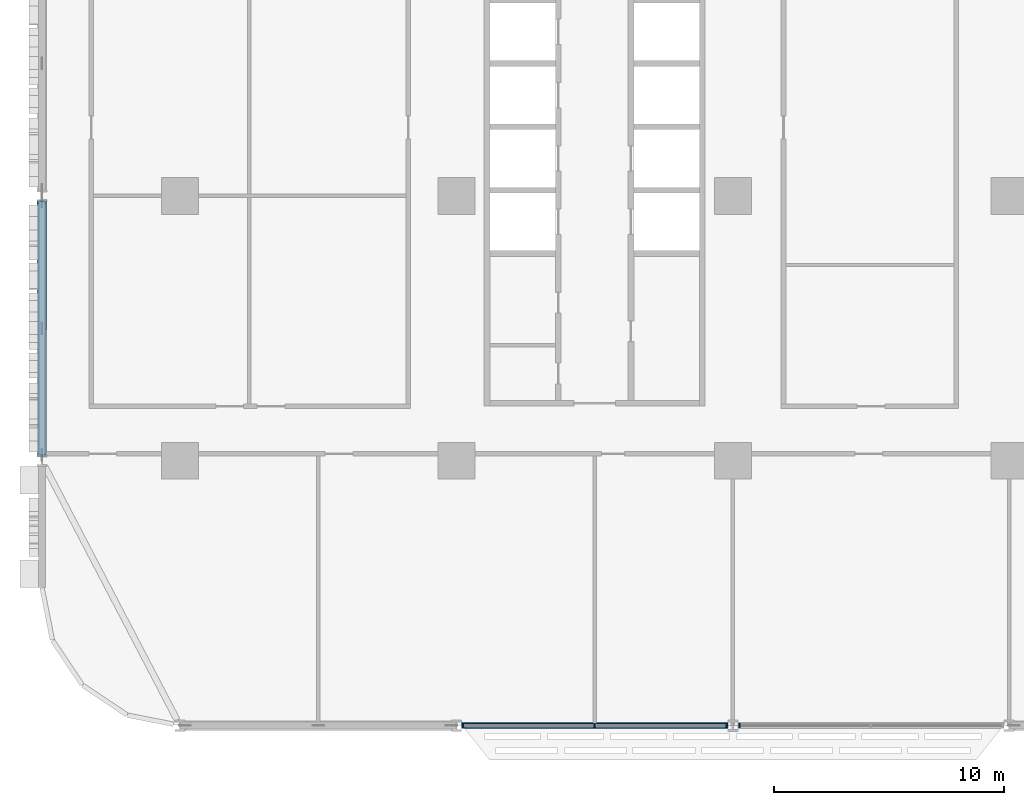
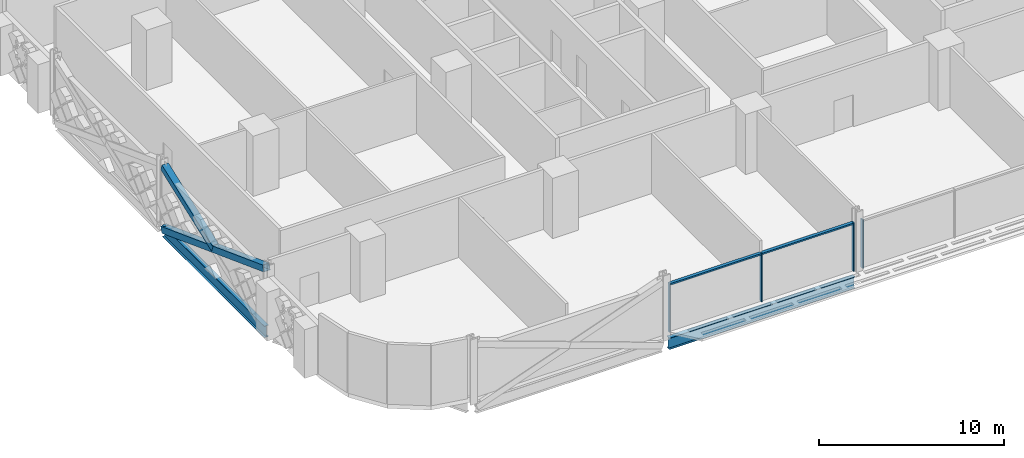
# One storey, part 2 of 28: 8 members, 2 beams, 2 elements without a shape of their own.
"""IFC4 building model written with IfcOpenShell, lengths in metres."""

from ifc_helpers import new_model, si_unit, direction, frame, origin, origin_2d, place, context, subcontext, project, spatial, rectangle, hollow_rectangle, i_section, extrude, material, material_profile, profile_set, type_object, element, aggregate, save


model = new_model("IFC4")

# Units and contexts
model_context = context("Model", 3, precision=1e-05, world=origin(), true_north=direction((0.0, 1.0)))
body_context = subcontext(model_context, "Body", "Model", "MODEL_VIEW")
ifc_project = project(units=[si_unit("LENGTHUNIT", "METRE"), si_unit("AREAUNIT", "SQUARE_METRE"), si_unit("VOLUMEUNIT", "CUBIC_METRE"), si_unit("PLANEANGLEUNIT", "RADIAN"), si_unit("MASSUNIT", "GRAM", prefix="KILO")], contexts=[model_context])

# Site, building, storey
site_placement = place(None, origin())
site = spatial("IfcSite", under=ifc_project, at=site_placement, CompositionType="ELEMENT")
building_placement = place(site_placement, origin())
building = spatial("IfcBuilding", under=site, at=building_placement, Name="Mahtab Terrace Research Tower", CompositionType="ELEMENT")
storey_placement = place(building_placement, frame((0.0, 0.0, 33.0)))
storey = spatial("IfcBuildingStorey", under=building, at=storey_placement, Name="L07", CompositionType="ELEMENT", Elevation=33.0)

# Members
ifc_material_1 = material(Name="Steel ASTM A500 Gr C", Category="steel")
ifc_material_profile_1 = material_profile(ifc_material_1, hollow_rectangle(XDim=0.406494140625, YDim=0.406494140625, WallThickness=0.01904296875, at=origin_2d()), Name="HSS16X16X3/4")
ifc_profile_set_1 = profile_set([ifc_material_profile_1], Name="Steel ASTM A500 Gr C")
member_type_1 = type_object("IfcMemberType", Name="HSS 16x16x3/4 brace XB161634", PredefinedType="BRACE", material=ifc_profile_set_1)
member_1_placement = place(storey_placement, frame((-48.0, -0.248779296875, -0.62548828125), z_axis=(0.0, -0.936661873217, 0.350234971499), x_axis=(1.0, 0.0, 0.0)))
element("IfcMember", 1, at=member_1_placement, inside=storey, type_object=member_type_1, Name="Exoskeleton brace L07 10 a", PredefinedType="BRACE", context=body_context, shape_type="SweptSolid", body=[
    extrude(hollow_rectangle(XDim=0.406494140625, YDim=0.406494140625, WallThickness=0.01904296875, at=origin_2d()), origin(), (0.0, 0.0, 1.0), 11.746337890625),
])
member_2_placement = place(storey_placement, frame((-48.0, -5.75, 1.431640625), z_axis=(0.0, 0.936668691391, 0.350216736563), x_axis=(-1.0, 0.0, 0.0)))
element("IfcMember", 2, at=member_2_placement, inside=storey, type_object=member_type_1, Name="Exoskeleton brace L07 10 b2", PredefinedType="BRACE", context=body_context, shape_type="SweptSolid", body=[
    extrude(hollow_rectangle(XDim=0.406494140625, YDim=0.406494140625, WallThickness=0.01904296875, at=origin_2d()), origin(), (0.0, 0.0, 1.0), 5.873291015625),
])

# Curtain wall, members
ifc_material_2 = material(Name="Laboratory ribbon curtain wall")
curtain_wall_type = type_object("IfcCurtainWallType", Name="Laboratory ribbon curtain wall", PredefinedType="NOTDEFINED", material=ifc_material_2)
curtain_wall_1_placement = place(storey_placement, origin())
curtain_wall_1 = element("IfcCurtainWall", 3, at=curtain_wall_1_placement, inside=storey, type_object=curtain_wall_type, Name="EN.L07.13.23", PredefinedType="NOTDEFINED")
ifc_material_3 = material(Name="Natural anodised aluminium", Category="aluminium")
ifc_material_profile_2 = material_profile(ifc_material_3, rectangle(XDim=0.199951171875, YDim=0.06494140625, at=origin_2d()), Name="MULLION 65x200")
ifc_profile_set_2 = profile_set([ifc_material_profile_2], Name="Natural anodised aluminium")
member_type_2 = type_object("IfcMemberType", Name="Laboratory ribbon curtain wall mullion", PredefinedType="MULLION", material=ifc_profile_set_2)
member_3_placement = place(storey_placement, frame((-29.718505859375, -23.0, 0.0), z_axis=(0.0, 0.0, 1.0), x_axis=(0.0, 1.0, 0.0)))
member_3 = element("IfcMember", 4, at=member_3_placement, type_object=member_type_2, Name="CWL-1 mullion 1", PredefinedType="MULLION", context=body_context, shape_type="SweptSolid", body=[
    extrude(rectangle(XDim=0.199951171875, YDim=0.06494140625, at=origin_2d()), origin(), (0.0, 0.0, 1.0), 3.203125),
])
member_4_placement = place(storey_placement, frame((-24.0, -23.0, 0.0), z_axis=(0.0, 0.0, 1.0), x_axis=(0.0, 1.0, 0.0)))
member_4 = element("IfcMember", 5, at=member_4_placement, type_object=member_type_2, Name="CWL-1 mullion 2", PredefinedType="MULLION", context=body_context, shape_type="SweptSolid", body=[
    extrude(rectangle(XDim=0.199951171875, YDim=0.06494140625, at=origin_2d()), origin(), (0.0, 0.0, 1.0), 3.203125),
])
member_5_placement = place(storey_placement, frame((-18.281494140625, -23.0, 0.0), z_axis=(0.0, 0.0, 1.0), x_axis=(0.0, 1.0, 0.0)))
member_5 = element("IfcMember", 6, at=member_5_placement, type_object=member_type_2, Name="CWL-1 mullion 3", PredefinedType="MULLION", context=body_context, shape_type="SweptSolid", body=[
    extrude(rectangle(XDim=0.199951171875, YDim=0.06494140625, at=origin_2d()), origin(), (0.0, 0.0, 1.0), 3.203125),
])

# Curtain wall, member
curtain_wall_2_placement = place(storey_placement, origin())
curtain_wall_2 = element("IfcCurtainWall", 7, at=curtain_wall_2_placement, inside=storey, type_object=curtain_wall_type, Name="EN.L07.13.24", PredefinedType="NOTDEFINED")
member_6_placement = place(storey_placement, frame((-17.718505859375, -23.0, 0.0), z_axis=(0.0, 0.0, 1.0), x_axis=(0.0, 1.0, 0.0)))
member_6 = element("IfcMember", 8, at=member_6_placement, type_object=member_type_2, Name="CWL-1 mullion 1", PredefinedType="MULLION", context=body_context, shape_type="SweptSolid", body=[
    extrude(rectangle(XDim=0.199951171875, YDim=0.06494140625, at=origin_2d()), origin(), (0.0, 0.0, 1.0), 3.203125),
])
aggregate(curtain_wall_2, [member_6])

# Member
ifc_material_profile_3 = material_profile(ifc_material_3, rectangle(XDim=0.199951171875, YDim=0.10009765625, at=origin_2d()), Name="TRANSOM 100x200")
ifc_profile_set_3 = profile_set([ifc_material_profile_3], Name="Natural anodised aluminium")
member_type_3 = type_object("IfcMemberType", Name="Laboratory ribbon curtain wall transom", PredefinedType="USERDEFINED", material=ifc_profile_set_3)
member_7_placement = place(storey_placement, frame((-29.68603515625, -23.0, 3.153076171875), z_axis=(1.0, 0.0, 0.0), x_axis=(0.0, 1.0, 0.0)))
member_7 = element("IfcMember", 9, at=member_7_placement, type_object=member_type_3, Name="CWL-1 transom 1", ObjectType="TRANSOM", PredefinedType="USERDEFINED", context=body_context, shape_type="SweptSolid", body=[
    extrude(rectangle(XDim=0.199951171875, YDim=0.10009765625, at=origin_2d()), origin(), (0.0, 0.0, 1.0), 5.653564453125),
])

member_8_placement = place(storey_placement, frame((-23.967529296875, -23.0, 3.153076171875), z_axis=(1.0, 0.0, 0.0), x_axis=(0.0, 1.0, 0.0)))
member_8 = element("IfcMember", 10, at=member_8_placement, type_object=member_type_3, Name="CWL-1 transom 2", ObjectType="TRANSOM", PredefinedType="USERDEFINED", context=body_context, shape_type="SweptSolid", body=[
    extrude(rectangle(XDim=0.199951171875, YDim=0.10009765625, at=origin_2d()), origin(), (0.0, 0.0, 1.0), 5.653564453125),
])

aggregate(curtain_wall_1, [member_3, member_4, member_5, member_7, member_8])

# Beams
ifc_material_4 = material(Name="Steel ASTM A992 Gr 50", Category="steel")
ifc_material_profile_4 = material_profile(ifc_material_4, i_section(OverallWidth=0.2666015625, OverallDepth=0.7568359375, WebThickness=0.013916015625, FlangeThickness=0.019287109375, at=origin_2d()), Name="W30X108")
ifc_profile_set_4 = profile_set([ifc_material_profile_4], Name="Steel ASTM A992 Gr 50")
beam_type = type_object("IfcBeamType", Name="W30x108 beam BS30108", PredefinedType="BEAM", material=ifc_profile_set_4)
beam_1_placement = place(storey_placement, frame((-48.0, -0.248779296875, -0.718505859375), z_axis=(0.0, -1.0, 0.0), x_axis=(1.0, 0.0, 0.0)))
element("IfcBeam", 11, at=beam_1_placement, inside=storey, type_object=beam_type, Name="Spandrel beam L07 10", PredefinedType="BEAM", context=body_context, shape_type="SweptSolid", body=[
    extrude(i_section(OverallWidth=0.2666015625, OverallDepth=0.7568359375, WebThickness=0.013916015625, FlangeThickness=0.019287109375, at=origin_2d()), origin(), (0.0, 0.0, 1.0), 11.00244140625),
])
beam_2_placement = place(storey_placement, frame((-29.7841796875, -23.0, -0.718505859375), z_axis=(1.0, 0.0, 0.0), x_axis=(0.0, 1.0, 0.0)))
element("IfcBeam", 12, at=beam_2_placement, inside=storey, type_object=beam_type, Name="Spandrel beam L07 13", PredefinedType="BEAM", context=body_context, shape_type="SweptSolid", body=[
    extrude(i_section(OverallWidth=0.2666015625, OverallDepth=0.7568359375, WebThickness=0.013916015625, FlangeThickness=0.019287109375, at=origin_2d()), origin(), (0.0, 0.0, 1.0), 11.568359375),
])

save(model, "model.ifc")
